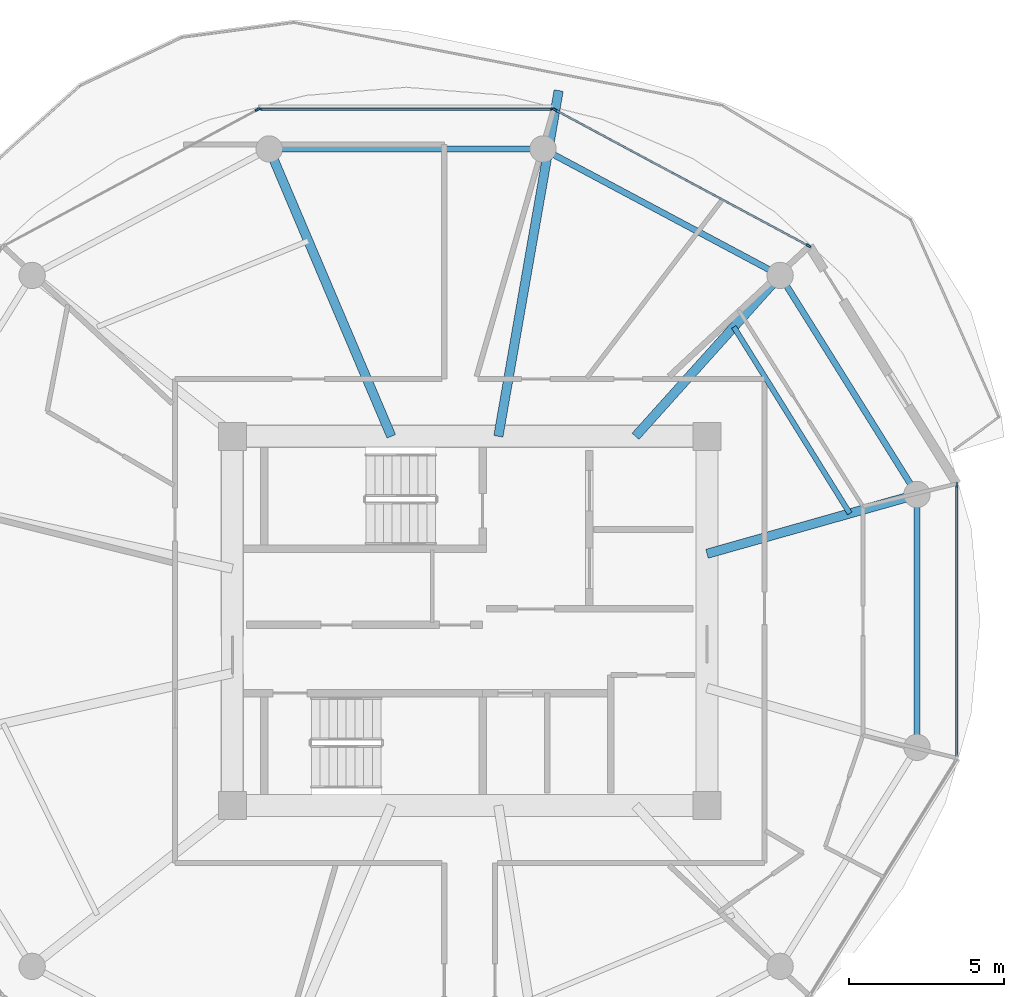
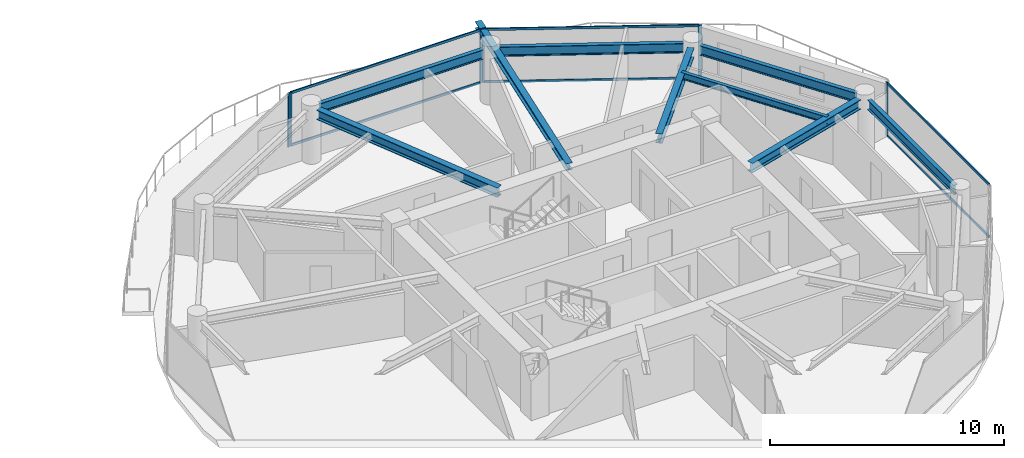
# One storey, part 11 of 24: 12 members, 9 beams, 4 elements without a shape of their own.
"""IFC4 building model written with IfcOpenShell, lengths in metres."""

from ifc_helpers import new_model, si_unit, direction, frame, origin, origin_2d, place, context, subcontext, project, spatial, rectangle, i_section, extrude, source, transform, mapped, material, layer, layer_set, material_profile, profile_set, type_object, type_shapes, element, aggregate, save


model = new_model("IFC4")

# Units and contexts
model_context = context("Model", 3, precision=1e-05, world=origin(), true_north=direction((0.0, 1.0)))
body_context = subcontext(model_context, "Body", "Model", "MODEL_VIEW")
ifc_project = project(units=[si_unit("LENGTHUNIT", "METRE"), si_unit("AREAUNIT", "SQUARE_METRE"), si_unit("VOLUMEUNIT", "CUBIC_METRE"), si_unit("PLANEANGLEUNIT", "RADIAN"), si_unit("MASSUNIT", "GRAM", prefix="KILO")], contexts=[model_context])

# Site, building, storey
site_placement = place(None, origin())
site = spatial("IfcSite", under=ifc_project, at=site_placement, CompositionType="ELEMENT")
building_placement = place(site_placement, origin())
building = spatial("IfcBuilding", under=site, at=building_placement, Name="Norrkilde Senior Care Towers", CompositionType="ELEMENT")
storey_placement = place(building_placement, frame((0.0, 0.0, 117.60009765625)))
storey = spatial("IfcBuildingStorey", under=building, at=storey_placement, Name="L36", CompositionType="ELEMENT", Elevation=117.60009765625)

# Beams
ifc_material_1 = material(Name="Steel S355", Category="steel")
ifc_material_profile_1 = material_profile(ifc_material_1, i_section(OverallWidth=0.199951171875, OverallDepth=0.5, WebThickness=0.01025390625, FlangeThickness=0.01611328125, FilletRadius=0.02099609375, at=origin_2d()), Name="IPE 500")
ifc_profile_set_1 = profile_set([ifc_material_profile_1], Name="Steel S355")
beam_type_1 = type_object("IfcBeamType", Name="Perimeter Ring Spandrel Z2 IPE500", PredefinedType="SPANDREL", material=ifc_profile_set_1)
shared_shape_1 = source(origin(), body_context, "Body", "SweptSolid", [
    extrude(i_section(OverallWidth=0.199951171875, OverallDepth=0.5, WebThickness=0.01025390625, FlangeThickness=0.01611328125, FilletRadius=0.02099609375, at=origin_2d()), origin(), (0.0, 0.0, 1.0), 7.892333984375),
])
beam_1_placement = place(storey_placement, frame((37.66650390625, 11.318115234375, 2.539794921875), z_axis=(-0.882350372282, 0.47059305194, 0.0), x_axis=(-0.47059305194, -0.882350372282, 0.0)))
element("IfcBeam", 1, at=beam_1_placement, inside=storey, type_object=beam_type_1, Name="L36 Drum E Perimeter Spandrel 02", PredefinedType="SPANDREL", context=body_context, shape_type="MappedRepresentation", body=[
    mapped(shared_shape_1, transform((0.0, 0.0, 0.0), x_axis=(1.0, 0.0, 0.0), y_axis=(0.0, 1.0, 0.0), z_axis=(0.0, 0.0, 1.0), scale=1.0)),
])
shared_shape_2 = source(origin(), body_context, "Body", "SweptSolid", [
    extrude(i_section(OverallWidth=0.199951171875, OverallDepth=0.5, WebThickness=0.01025390625, FlangeThickness=0.01611328125, FilletRadius=0.02099609375, at=origin_2d()), origin(), (0.0, 0.0, 1.0), 8.0556640625),
])
beam_2_placement = place(storey_placement, frame((29.977783203125, 15.21337890625, 2.539794921875), z_axis=(-1.0, 0.0, 0.0), x_axis=(0.0, -1.0, 0.0)))
element("IfcBeam", 2, at=beam_2_placement, inside=storey, type_object=beam_type_1, Name="L36 Drum E Perimeter Spandrel 03", PredefinedType="SPANDREL", context=body_context, shape_type="MappedRepresentation", body=[
    mapped(shared_shape_2, transform((0.0, 0.0, 0.0), x_axis=(1.0, 0.0, 0.0), y_axis=(0.0, 1.0, 0.0), z_axis=(0.0, 0.0, 1.0), scale=1.0)),
])
ifc_material_profile_2 = material_profile(ifc_material_1, i_section(OverallWidth=0.300048828125, OverallDepth=0.5, WebThickness=0.014404296875, FlangeThickness=0.028076171875, FilletRadius=0.027099609375, at=origin_2d()), Name="HEB 500")
ifc_profile_set_2 = profile_set([ifc_material_profile_2], Name="Steel S355")
beam_type_2 = type_object("IfcBeamType", Name="Radial Floor Beam Z2 HEB500", PredefinedType="BEAM", material=ifc_profile_set_2)
shared_shape_3 = source(origin(), body_context, "Body", "SweptSolid", [
    extrude(i_section(OverallWidth=0.300048828125, OverallDepth=0.5, WebThickness=0.014404296875, FlangeThickness=0.028076171875, FilletRadius=0.027099609375, at=origin_2d()), origin(), (0.0, 0.0, 1.0), 9.679443359375),
])
beam_3_placement = place(storey_placement, frame((25.472412109375, 5.949951171875, 2.539794921875), z_axis=(-0.390998033479, 0.920391513333, 0.0), x_axis=(-0.920391513333, -0.390998033479, 0.0)))
element("IfcBeam", 3, at=beam_3_placement, inside=storey, type_object=beam_type_2, Name="L36 Drum E Radial Floor Beam 04", PredefinedType="BEAM", context=body_context, shape_type="MappedRepresentation", body=[
    mapped(shared_shape_3, transform((0.0, 0.0, 0.0), x_axis=(1.0, 0.0, 0.0), y_axis=(0.0, 1.0, 0.0), z_axis=(0.0, 0.0, 1.0), scale=1.0)),
])
shared_shape_4 = source(origin(), body_context, "Body", "SweptSolid", [
    extrude(i_section(OverallWidth=0.199951171875, OverallDepth=0.5, WebThickness=0.01025390625, FlangeThickness=0.01611328125, FilletRadius=0.02099609375, at=origin_2d()), origin(), (0.0, 0.0, 1.0), 7.556396484375),
])
beam_4_placement = place(storey_placement, frame((42.215087890625, 4.40283203125, 2.539794921875), z_axis=(-0.530004748437, 0.847994673706, 0.0), x_axis=(-0.847994673706, -0.530004748437, 0.0)))
element("IfcBeam", 4, at=beam_4_placement, inside=storey, type_object=beam_type_1, Name="L36 Drum E Perimeter Spandrel 01", PredefinedType="SPANDREL", context=body_context, shape_type="MappedRepresentation", body=[
    mapped(shared_shape_4, transform((0.0, 0.0, 0.0), x_axis=(1.0, 0.0, 0.0), y_axis=(0.0, 1.0, 0.0), z_axis=(0.0, 0.0, 1.0), scale=1.0)),
])
shared_shape_5 = source(origin(), body_context, "Body", "SweptSolid", [
    extrude(i_section(OverallWidth=0.300048828125, OverallDepth=0.5, WebThickness=0.014404296875, FlangeThickness=0.028076171875, FilletRadius=0.027099609375, at=origin_2d()), origin(), (0.0, 0.0, 1.0), 6.587890625),
])
beam_5_placement = place(storey_placement, frame((33.345947265625, 5.949951171875, 2.539794921875), z_axis=(0.668315438605, 0.743877997068, 0.0), x_axis=(-0.743877997068, 0.668315438605, 0.0)))
element("IfcBeam", 5, at=beam_5_placement, inside=storey, type_object=beam_type_2, Name="L36 Drum E Radial Floor Beam 02", PredefinedType="BEAM", context=body_context, shape_type="MappedRepresentation", body=[
    mapped(shared_shape_5, transform((0.0, 0.0, 0.0), x_axis=(1.0, 0.0, 0.0), y_axis=(0.0, 1.0, 0.0), z_axis=(0.0, 0.0, 1.0), scale=1.0)),
])
shared_shape_6 = source(origin(), body_context, "Body", "SweptSolid", [
    extrude(i_section(OverallWidth=0.199951171875, OverallDepth=0.5, WebThickness=0.01025390625, FlangeThickness=0.01611328125, FilletRadius=0.02099609375, at=origin_2d()), origin(), (0.0, 0.0, 1.0), 7.3828125),
])
type_shapes(beam_type_1, [shared_shape_1, shared_shape_2, shared_shape_4, shared_shape_6])
beam_6_placement = place(storey_placement, frame((42.4189453125, -3.69140625, 2.539794921875), z_axis=(0.0, 1.0, 0.0), x_axis=(-1.0, 0.0, 0.0)))
element("IfcBeam", 6, at=beam_6_placement, inside=storey, type_object=beam_type_1, Name="L36 Drum E Perimeter Spandrel 12", PredefinedType="SPANDREL", context=body_context, shape_type="MappedRepresentation", body=[
    mapped(shared_shape_6, transform((0.0, 0.0, 0.0), x_axis=(1.0, 0.0, 0.0), y_axis=(0.0, 1.0, 0.0), z_axis=(0.0, 0.0, 1.0), scale=1.0)),
])
shared_shape_7 = source(origin(), body_context, "Body", "SweptSolid", [
    extrude(i_section(OverallWidth=0.300048828125, OverallDepth=0.5, WebThickness=0.014404296875, FlangeThickness=0.028076171875, FilletRadius=0.027099609375, at=origin_2d()), origin(), (0.0, 0.0, 1.0), 6.6494140625),
])
type_shapes(beam_type_2, [shared_shape_3, shared_shape_5, shared_shape_7])
beam_7_placement = place(storey_placement, frame((35.64990234375, 2.162841796875, 2.539794921875), z_axis=(0.962289138357, 0.27202870106, 0.0), x_axis=(-0.27202870106, 0.962289138357, 0.0)))
element("IfcBeam", 7, at=beam_7_placement, inside=storey, type_object=beam_type_2, Name="L36 Drum E Radial Floor Beam 01", PredefinedType="BEAM", context=body_context, shape_type="MappedRepresentation", body=[
    mapped(shared_shape_7, transform((0.0, 0.0, 0.0), x_axis=(1.0, 0.0, 0.0), y_axis=(0.0, 1.0, 0.0), z_axis=(0.0, 0.0, 1.0), scale=1.0)),
])
ifc_material_profile_3 = material_profile(ifc_material_1, i_section(OverallWidth=0.169921875, OverallDepth=0.360107421875, WebThickness=0.008056640625, FlangeThickness=0.0126953125, FilletRadius=0.01806640625, at=origin_2d()), Name="IPE 360")
ifc_profile_set_3 = profile_set([ifc_material_profile_3], Name="Steel S355")
beam_type_3 = type_object("IfcBeamType", Name="Secondary Floor Joist IPE360", PredefinedType="JOIST", material=ifc_profile_set_3)
shared_shape_8 = source(origin(), body_context, "Body", "SweptSolid", [
    extrude(i_section(OverallWidth=0.169921875, OverallDepth=0.360107421875, WebThickness=0.008056640625, FlangeThickness=0.0126953125, FilletRadius=0.01806640625, at=origin_2d()), origin(), (0.0, 0.0, 1.0), 7.080078125),
])
type_shapes(beam_type_3, [shared_shape_8])
beam_8_placement = place(storey_placement, frame((40.2529296875, 3.464111328125, 2.60986328125), z_axis=(-0.527961009189, 0.849268610497, 0.0), x_axis=(-0.849268610497, -0.527961009189, 0.0)))
element("IfcBeam", 8, at=beam_8_placement, inside=storey, type_object=beam_type_3, Name="L36 Drum E Secondary Floor Joist 1", PredefinedType="JOIST", context=body_context, shape_type="MappedRepresentation", body=[
    mapped(shared_shape_8, transform((0.0, 0.0, 0.0), x_axis=(1.0, 0.0, 0.0), y_axis=(0.0, 1.0, 0.0), z_axis=(0.0, 0.0, 1.0), scale=1.0)),
])
ifc_material_profile_4 = material_profile(ifc_material_1, i_section(OverallWidth=0.300048828125, OverallDepth=0.360107421875, WebThickness=0.012451171875, FlangeThickness=0.0224609375, FilletRadius=0.027099609375, at=origin_2d()), Name="HEB 360")
ifc_profile_set_4 = profile_set([ifc_material_profile_4], Name="Steel S355")
beam_type_4 = type_object("IfcBeamType", Name="Balcony Crest Cantilever Rib HEB360", PredefinedType="BEAM", material=ifc_profile_set_4)
shared_shape_9 = source(origin(), body_context, "Body", "SweptSolid", [
    extrude(i_section(OverallWidth=0.300048828125, OverallDepth=0.360107421875, WebThickness=0.012451171875, FlangeThickness=0.0224609375, FilletRadius=0.027099609375, at=origin_2d()), origin(), (0.0, 0.0, 1.0), 11.315185546875),
])
type_shapes(beam_type_4, [shared_shape_9])
beam_9_placement = place(storey_placement, frame((28.924072265625, 5.949951171875, 2.60986328125), z_axis=(0.17177003479, 0.985137074294, 0.0), x_axis=(-0.985137074294, 0.17177003479, 0.0)))
element("IfcBeam", 9, at=beam_9_placement, inside=storey, type_object=beam_type_4, Name="L36 Drum E Balcony Cantilever Rib", PredefinedType="BEAM", context=body_context, shape_type="MappedRepresentation", body=[
    mapped(shared_shape_9, transform((0.0, 0.0, 0.0), x_axis=(1.0, 0.0, 0.0), y_axis=(0.0, 1.0, 0.0), z_axis=(0.0, 0.0, 1.0), scale=1.0)),
])

# Curtain wall, members
ifc_material_2 = material(Name="Triple Low-E Insulated Glazing", Category="glass")
ifc_layer = layer(ifc_material_2, 0.195068359375)
ifc_layer_set = layer_set([ifc_layer], Name="Triple Low-E Insulated Glazing")
curtain_wall_type = type_object("IfcCurtainWallType", Name="CW3 Zone 2 Assisted Living Curtain Wall", PredefinedType="NOTDEFINED", material=ifc_layer_set)
curtain_wall_1_placement = place(storey_placement, origin())
curtain_wall_1 = element("IfcCurtainWall", 10, at=curtain_wall_1_placement, inside=storey, type_object=curtain_wall_type, Name="L36 Drum E Curtain Wall 01", PredefinedType="NOTDEFINED")
ifc_material_3 = material(Name="Anodised Aluminium", Category="aluminium")
ifc_material_profile_5 = material_profile(ifc_material_3, rectangle(XDim=0.06494140625, YDim=0.159912109375, at=origin_2d()), Name="ALU MULL 65x160")
ifc_profile_set_5 = profile_set([ifc_material_profile_5], Name="Anodised Aluminium")
member_type_1 = type_object("IfcMemberType", Name="Curtain Wall Mullion Z1-Z2 65x160", PredefinedType="MULLION", material=ifc_profile_set_5)
shared_shape_10 = source(origin(), body_context, "Body", "SweptSolid", [
    extrude(rectangle(XDim=0.06494140625, YDim=0.159912109375, at=origin_2d()), origin(), (0.0, 0.0, 1.0), 2.789794921875),
])
type_shapes(member_type_1, [shared_shape_10])
member_1_placement = place(storey_placement, frame((30.73583984375, 16.482666015625, 0.0), z_axis=(0.0, 0.0, 1.0), x_axis=(0.472769402511, 0.881186184668, 0.0)))
member_1 = element("IfcMember", 11, at=member_1_placement, type_object=member_type_1, Name="CW-3 mullion 1", PredefinedType="MULLION", context=body_context, shape_type="MappedRepresentation", body=[
    mapped(shared_shape_10, transform((0.0, 0.0, 0.0), x_axis=(1.0, 0.0, 0.0), y_axis=(0.0, 1.0, 0.0), z_axis=(0.0, 0.0, 1.0), scale=1.0)),
])
member_2_placement = place(storey_placement, frame((38.91796875, 12.0927734375, 0.0), z_axis=(0.0, 0.0, 1.0), x_axis=(0.472769402511, 0.881186184668, 0.0)))
member_2 = element("IfcMember", 12, at=member_2_placement, type_object=member_type_1, Name="CW-3 mullion 2", PredefinedType="MULLION", context=body_context, shape_type="MappedRepresentation", body=[
    mapped(shared_shape_10, transform((0.0, 0.0, 0.0), x_axis=(1.0, 0.0, 0.0), y_axis=(0.0, 1.0, 0.0), z_axis=(0.0, 0.0, 1.0), scale=1.0)),
])

curtain_wall_2_placement = place(storey_placement, origin())
curtain_wall_2 = element("IfcCurtainWall", 13, at=curtain_wall_2_placement, inside=storey, type_object=curtain_wall_type, Name="L36 Drum E Curtain Wall 02", PredefinedType="NOTDEFINED")
member_3_placement = place(storey_placement, frame((21.225341796875, 16.498046875, 0.0), z_axis=(0.0, 0.0, 1.0), x_axis=(0.0, 1.0, 0.0)))
member_3 = element("IfcMember", 14, at=member_3_placement, type_object=member_type_1, Name="CW-3 mullion 1", PredefinedType="MULLION", context=body_context, shape_type="MappedRepresentation", body=[
    mapped(shared_shape_10, transform((0.0, 0.0, 0.0), x_axis=(1.0, 0.0, 0.0), y_axis=(0.0, 1.0, 0.0), z_axis=(0.0, 0.0, 1.0), scale=1.0)),
])
member_4_placement = place(storey_placement, frame((30.674560546875, 16.498046875, 0.0), z_axis=(0.0, 0.0, 1.0), x_axis=(0.0, 1.0, 0.0)))
member_4 = element("IfcMember", 15, at=member_4_placement, type_object=member_type_1, Name="CW-3 mullion 2", PredefinedType="MULLION", context=body_context, shape_type="MappedRepresentation", body=[
    mapped(shared_shape_10, transform((0.0, 0.0, 0.0), x_axis=(1.0, 0.0, 0.0), y_axis=(0.0, 1.0, 0.0), z_axis=(0.0, 0.0, 1.0), scale=1.0)),
])

# Curtain wall, member
curtain_wall_3_placement = place(storey_placement, origin())
curtain_wall_3 = element("IfcCurtainWall", 16, at=curtain_wall_3_placement, inside=storey, type_object=curtain_wall_type, Name="L36 Drum E Curtain Wall 03", PredefinedType="NOTDEFINED")
member_5_placement = place(storey_placement, frame((21.164306640625, 16.482666015625, 0.0), z_axis=(0.0, 0.0, 1.0), x_axis=(-0.472769402511, 0.881186184668, 0.0)))
member_5 = element("IfcMember", 17, at=member_5_placement, type_object=member_type_1, Name="CW-3 mullion 2", PredefinedType="MULLION", context=body_context, shape_type="MappedRepresentation", body=[
    mapped(shared_shape_10, transform((0.0, 0.0, 0.0), x_axis=(1.0, 0.0, 0.0), y_axis=(0.0, 1.0, 0.0), z_axis=(0.0, 0.0, 1.0), scale=1.0)),
])
aggregate(curtain_wall_3, [member_5])

curtain_wall_4_placement = place(storey_placement, origin())
curtain_wall_4 = element("IfcCurtainWall", 18, at=curtain_wall_4_placement, inside=storey, type_object=curtain_wall_type, Name="L36 Drum E Curtain Wall 11", PredefinedType="NOTDEFINED")
member_6_placement = place(storey_placement, frame((43.70361328125, 4.38818359375, 0.0), z_axis=(0.0, 0.0, 1.0), x_axis=(1.0, 0.0, 0.0)))
member_6 = element("IfcMember", 19, at=member_6_placement, type_object=member_type_1, Name="CW-3 mullion 1", PredefinedType="MULLION", context=body_context, shape_type="MappedRepresentation", body=[
    mapped(shared_shape_10, transform((0.0, 0.0, 0.0), x_axis=(1.0, 0.0, 0.0), y_axis=(0.0, 1.0, 0.0), z_axis=(0.0, 0.0, 1.0), scale=1.0)),
])

# Member
ifc_material_profile_6 = material_profile(ifc_material_3, rectangle(XDim=0.06005859375, YDim=0.1201171875, at=origin_2d()), Name="ALU TRAN 60x120")
ifc_profile_set_6 = profile_set([ifc_material_profile_6], Name="Anodised Aluminium")
member_type_2 = type_object("IfcMemberType", Name="Curtain Wall Transom Typical 60x120", PredefinedType="USERDEFINED", material=ifc_profile_set_6)
shared_shape_11 = source(origin(), body_context, "Body", "SweptSolid", [
    extrude(rectangle(XDim=0.06005859375, YDim=0.1201171875, at=origin_2d()), origin(), (0.0, 0.0, 1.0), 9.220458984375),
])
member_7_placement = place(storey_placement, frame((30.764404296875, 16.46728515625, 0.02978515625), z_axis=(0.881188517866, -0.472765053681, 0.0), x_axis=(0.472765053681, 0.881188517866, 0.0)))
member_7 = element("IfcMember", 20, at=member_7_placement, type_object=member_type_2, Name="CW-3 transom 1.1", ObjectType="TRANSOM", PredefinedType="USERDEFINED", context=body_context, shape_type="MappedRepresentation", body=[
    mapped(shared_shape_11, transform((0.0, 0.0, 0.0), x_axis=(1.0, 0.0, 0.0), y_axis=(0.0, 1.0, 0.0), z_axis=(0.0, 0.0, 1.0), scale=1.0)),
])

member_8_placement = place(storey_placement, frame((30.764404296875, 16.46728515625, 2.760009765625), z_axis=(0.881188517866, -0.472765053681, 0.0), x_axis=(0.472765053681, 0.881188517866, 0.0)))
member_8 = element("IfcMember", 21, at=member_8_placement, type_object=member_type_2, Name="CW-3 transom 1.2", ObjectType="TRANSOM", PredefinedType="USERDEFINED", context=body_context, shape_type="MappedRepresentation", body=[
    mapped(shared_shape_11, transform((0.0, 0.0, 0.0), x_axis=(1.0, 0.0, 0.0), y_axis=(0.0, 1.0, 0.0), z_axis=(0.0, 0.0, 1.0), scale=1.0)),
])

aggregate(curtain_wall_1, [member_1, member_2, member_7, member_8])

shared_shape_12 = source(origin(), body_context, "Body", "SweptSolid", [
    extrude(rectangle(XDim=0.06005859375, YDim=0.1201171875, at=origin_2d()), origin(), (0.0, 0.0, 1.0), 9.38427734375),
])
member_9_placement = place(storey_placement, frame((21.2578125, 16.498046875, 0.02978515625), z_axis=(1.0, 0.0, 0.0), x_axis=(0.0, 1.0, 0.0)))
member_9 = element("IfcMember", 22, at=member_9_placement, type_object=member_type_2, Name="CW-3 transom 1.1", ObjectType="TRANSOM", PredefinedType="USERDEFINED", context=body_context, shape_type="MappedRepresentation", body=[
    mapped(shared_shape_12, transform((0.0, 0.0, 0.0), x_axis=(1.0, 0.0, 0.0), y_axis=(0.0, 1.0, 0.0), z_axis=(0.0, 0.0, 1.0), scale=1.0)),
])

member_10_placement = place(storey_placement, frame((21.2578125, 16.498046875, 2.760009765625), z_axis=(1.0, 0.0, 0.0), x_axis=(0.0, 1.0, 0.0)))
member_10 = element("IfcMember", 23, at=member_10_placement, type_object=member_type_2, Name="CW-3 transom 1.2", ObjectType="TRANSOM", PredefinedType="USERDEFINED", context=body_context, shape_type="MappedRepresentation", body=[
    mapped(shared_shape_12, transform((0.0, 0.0, 0.0), x_axis=(1.0, 0.0, 0.0), y_axis=(0.0, 1.0, 0.0), z_axis=(0.0, 0.0, 1.0), scale=1.0)),
])

aggregate(curtain_wall_2, [member_3, member_4, member_9, member_10])

shared_shape_13 = source(origin(), body_context, "Body", "SweptSolid", [
    extrude(rectangle(XDim=0.06005859375, YDim=0.1201171875, at=origin_2d()), origin(), (0.0, 0.0, 1.0), 8.71142578125),
])
type_shapes(member_type_2, [shared_shape_11, shared_shape_12, shared_shape_13])
member_11_placement = place(storey_placement, frame((43.70361328125, 4.355712890625, 0.02978515625), z_axis=(0.0, -1.0, 0.0), x_axis=(1.0, 0.0, 0.0)))
member_11 = element("IfcMember", 24, at=member_11_placement, type_object=member_type_2, Name="CW-3 transom 1.1", ObjectType="TRANSOM", PredefinedType="USERDEFINED", context=body_context, shape_type="MappedRepresentation", body=[
    mapped(shared_shape_13, transform((0.0, 0.0, 0.0), x_axis=(1.0, 0.0, 0.0), y_axis=(0.0, 1.0, 0.0), z_axis=(0.0, 0.0, 1.0), scale=1.0)),
])

member_12_placement = place(storey_placement, frame((43.70361328125, 4.355712890625, 2.760009765625), z_axis=(0.0, -1.0, 0.0), x_axis=(1.0, 0.0, 0.0)))
member_12 = element("IfcMember", 25, at=member_12_placement, type_object=member_type_2, Name="CW-3 transom 1.2", ObjectType="TRANSOM", PredefinedType="USERDEFINED", context=body_context, shape_type="MappedRepresentation", body=[
    mapped(shared_shape_13, transform((0.0, 0.0, 0.0), x_axis=(1.0, 0.0, 0.0), y_axis=(0.0, 1.0, 0.0), z_axis=(0.0, 0.0, 1.0), scale=1.0)),
])

aggregate(curtain_wall_4, [member_6, member_11, member_12])

save(model, "model.ifc")
